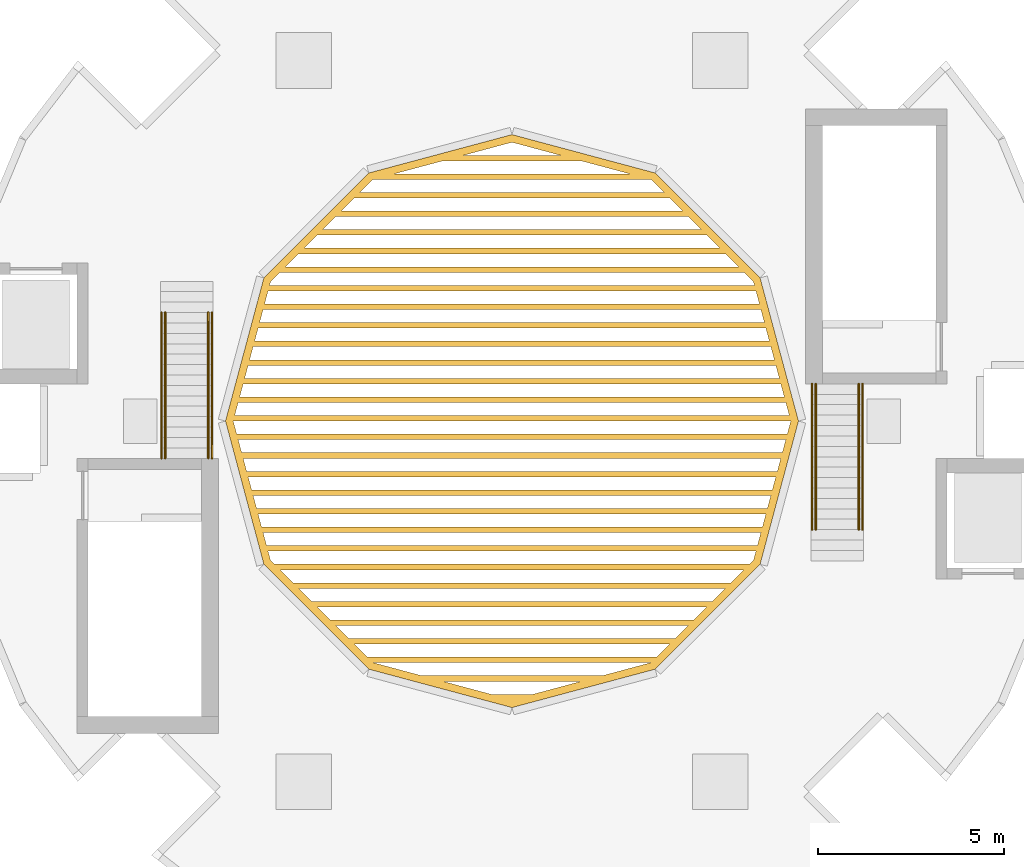
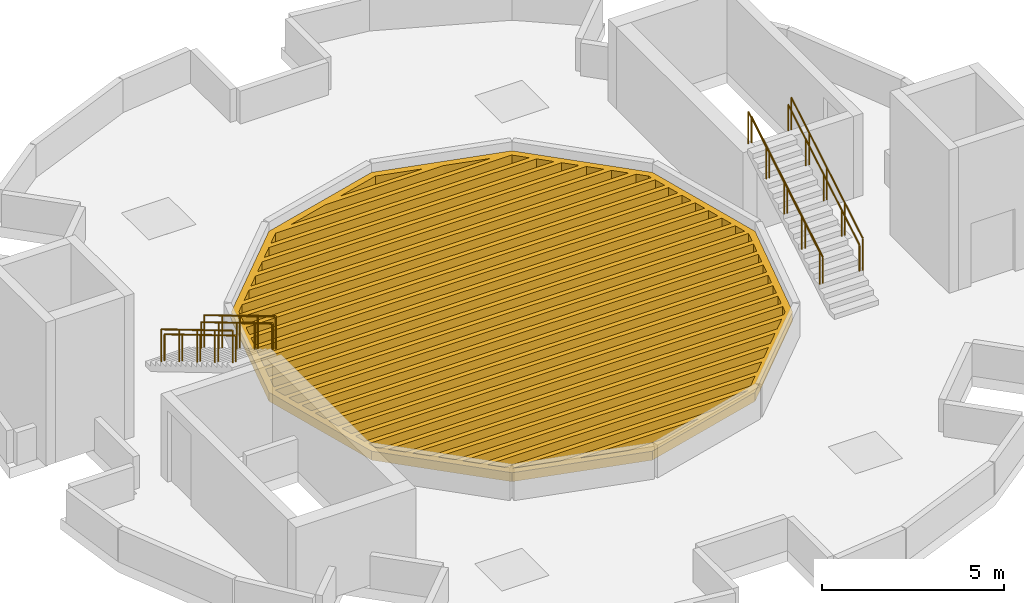
# One storey, part 3 of 4: 8 railings, 1 shading device.
"""IFC4 building model written with IfcOpenShell, lengths in metres."""

from ifc_helpers import new_model, si_unit, direction, frame, origin, origin_2d, place, context, subcontext, project, spatial, polyline, circle, outline, extrude, material, type_object, element, save


model = new_model("IFC4")

# Units and contexts
model_context = context("Model", 3, precision=1e-05, world=origin(), true_north=direction((0.0, 1.0)))
body_context = subcontext(model_context, "Body", "Model", "MODEL_VIEW")
ifc_project = project(units=[si_unit("LENGTHUNIT", "METRE"), si_unit("AREAUNIT", "SQUARE_METRE"), si_unit("VOLUMEUNIT", "CUBIC_METRE"), si_unit("PLANEANGLEUNIT", "RADIAN"), si_unit("MASSUNIT", "GRAM", prefix="KILO")], contexts=[model_context])

# Site, building, storey
site_placement = place(None, origin())
site = spatial("IfcSite", under=ifc_project, at=site_placement, CompositionType="ELEMENT")
building_placement = place(site_placement, origin())
building = spatial("IfcBuilding", under=site, at=building_placement, Name="Torre Brocal", CompositionType="ELEMENT")
storey_placement = place(building_placement, frame((0.0, 0.0, 337.60009765625)))
storey = spatial("IfcBuildingStorey", under=building, at=storey_placement, Name="RF", CompositionType="ELEMENT", Elevation=337.60009765625)

# Railings
ifc_material_1 = material(Name="Steel A992", Category="steel")
railing_type_1 = type_object("IfcRailingType", Name="ROOF STAIR GUARD", PredefinedType="GUARDRAIL", material=ifc_material_1)
for number, where, name in (
    (1, (88.070068359375, 72.080078125, 0.66650390625), "GUARD ST5"),
    (2, (89.429931640625, 72.080078125, 0.66650390625), "GUARD ST5"),
):
    element("IfcRailing", number, at=place(storey_placement, frame(where)), inside=storey, type_object=railing_type_1, Name=name, PredefinedType="GUARDRAIL", context=body_context, shape_type="SweptSolid", body=[
        extrude(circle(Radius=0.02392578125, at=origin_2d()), frame((0.0, 0.0, 1.076171875), z_axis=(0.0, 0.859272722373, 0.511517730471), x_axis=(-1.0, 0.0, 0.0)), (0.0, 0.0, 1.0), 4.56201171875),
        extrude(circle(Radius=0.02099609375, at=origin_2d()), origin(), (0.0, 0.0, 1.0), 1.052001953125),
        extrude(circle(Radius=0.02099609375, at=origin_2d()), frame((0.0, 0.97998046875, 0.58349609375)), (0.0, 0.0, 1.0), 1.052001953125),
        extrude(circle(Radius=0.02099609375, at=origin_2d()), frame((0.0, 1.9599609375, 1.166748046875)), (0.0, 0.0, 1.0), 1.052001953125),
        extrude(circle(Radius=0.02099609375, at=origin_2d()), frame((0.0, 2.93994140625, 1.75)), (0.0, 0.0, 1.0), 1.052001953125),
        extrude(circle(Radius=0.02099609375, at=origin_2d()), frame((0.0, 3.919921875, 2.33349609375)), (0.0, 0.0, 1.0), 1.052001953125),
    ])
for number, where, name in (
    (3, (71.929931640625, 77.919921875, 0.66650390625), "GUARD ST6"),
    (4, (70.570068359375, 77.919921875, 0.66650390625), "GUARD ST6"),
):
    element("IfcRailing", number, at=place(storey_placement, frame(where)), inside=storey, type_object=railing_type_1, Name=name, PredefinedType="GUARDRAIL", context=body_context, shape_type="SweptSolid", body=[
        extrude(circle(Radius=0.02392578125, at=origin_2d()), frame((0.0, 0.0, 1.076171875), z_axis=(0.0, -0.859272722373, 0.511517730471), x_axis=(1.0, 0.0, 0.0)), (0.0, 0.0, 1.0), 4.56201171875),
        extrude(circle(Radius=0.02099609375, at=origin_2d()), origin(), (0.0, 0.0, 1.0), 1.052001953125),
        extrude(circle(Radius=0.02099609375, at=origin_2d()), frame((0.0, -0.97998046875, 0.58349609375)), (0.0, 0.0, 1.0), 1.052001953125),
        extrude(circle(Radius=0.02099609375, at=origin_2d()), frame((0.0, -1.9599609375, 1.166748046875)), (0.0, 0.0, 1.0), 1.052001953125),
        extrude(circle(Radius=0.02099609375, at=origin_2d()), frame((0.0, -2.93994140625, 1.75)), (0.0, 0.0, 1.0), 1.052001953125),
        extrude(circle(Radius=0.02099609375, at=origin_2d()), frame((0.0, -3.919921875, 2.33349609375)), (0.0, 0.0, 1.0), 1.052001953125),
    ])
ifc_material_2 = material(Name="Steel A992", Category="steel")
railing_type_2 = type_object("IfcRailingType", Name="ROOF STAIR HANDRAIL", PredefinedType="HANDRAIL", material=ifc_material_2)
for number, where, name in (
    (5, (88.169921875, 72.080078125, 0.66650390625), "HAND ST5"),
    (6, (89.330078125, 72.080078125, 0.66650390625), "HAND ST5"),
):
    element("IfcRailing", number, at=place(storey_placement, frame(where)), inside=storey, type_object=railing_type_2, Name=name, PredefinedType="HANDRAIL", context=body_context, shape_type="SweptSolid", body=[
        extrude(circle(Radius=0.02392578125, at=origin_2d()), frame((0.0, 0.0, 0.8759765625), z_axis=(0.0, 0.859272722373, 0.511517730471), x_axis=(-1.0, 0.0, 0.0)), (0.0, 0.0, 1.0), 4.56201171875),
        extrude(circle(Radius=0.02099609375, at=origin_2d()), origin(), (0.0, 0.0, 1.0), 0.851806640625),
        extrude(circle(Radius=0.02099609375, at=origin_2d()), frame((0.0, 0.97998046875, 0.58349609375)), (0.0, 0.0, 1.0), 0.851806640625),
        extrude(circle(Radius=0.02099609375, at=origin_2d()), frame((0.0, 1.9599609375, 1.166748046875)), (0.0, 0.0, 1.0), 0.851806640625),
        extrude(circle(Radius=0.02099609375, at=origin_2d()), frame((0.0, 2.93994140625, 1.75)), (0.0, 0.0, 1.0), 0.851806640625),
        extrude(circle(Radius=0.02099609375, at=origin_2d()), frame((0.0, 3.919921875, 2.33349609375)), (0.0, 0.0, 1.0), 0.851806640625),
    ])
for number, where, name in (
    (7, (71.830078125, 77.919921875, 0.66650390625), "HAND ST6"),
    (8, (70.669921875, 77.919921875, 0.66650390625), "HAND ST6"),
):
    element("IfcRailing", number, at=place(storey_placement, frame(where)), inside=storey, type_object=railing_type_2, Name=name, PredefinedType="HANDRAIL", context=body_context, shape_type="SweptSolid", body=[
        extrude(circle(Radius=0.02392578125, at=origin_2d()), frame((0.0, 0.0, 0.8759765625), z_axis=(0.0, -0.859272722373, 0.511517730471), x_axis=(1.0, 0.0, 0.0)), (0.0, 0.0, 1.0), 4.56201171875),
        extrude(circle(Radius=0.02099609375, at=origin_2d()), origin(), (0.0, 0.0, 1.0), 0.851806640625),
        extrude(circle(Radius=0.02099609375, at=origin_2d()), frame((0.0, -0.97998046875, 0.58349609375)), (0.0, 0.0, 1.0), 0.851806640625),
        extrude(circle(Radius=0.02099609375, at=origin_2d()), frame((0.0, -1.9599609375, 1.166748046875)), (0.0, 0.0, 1.0), 0.851806640625),
        extrude(circle(Radius=0.02099609375, at=origin_2d()), frame((0.0, -2.93994140625, 1.75)), (0.0, 0.0, 1.0), 0.851806640625),
        extrude(circle(Radius=0.02099609375, at=origin_2d()), frame((0.0, -3.919921875, 2.33349609375)), (0.0, 0.0, 1.0), 0.851806640625),
    ])

# Shading device
ifc_material_3 = material(Name="Aluminium, black anodised", Category="aluminium")
shading_device_type = type_object("IfcShadingDeviceType", Name="WELL LOUVRE SCREEN", PredefinedType="USERDEFINED", material=ifc_material_3)
shading_device_placement = place(storey_placement, frame((0.0, 0.0, 0.5)))
element("IfcShadingDevice", 9, at=shading_device_placement, inside=storey, type_object=shading_device_type, Name="WELL LOUVRE SCREEN", ObjectType="LOUVRE", PredefinedType="USERDEFINED", context=body_context, shape_type="SweptSolid", body=[
    extrude(outline(polyline([(86.674560546875, 78.853515625), (83.853515625, 81.674560546875), (80.0, 82.70703125), (76.146484375, 81.674560546875), (73.325439453125, 78.853515625), (72.29296875, 75.0), (73.325439453125, 71.146484375), (76.146484375, 68.325439453125), (80.0, 67.29296875), (83.853515625, 68.325439453125), (86.674560546875, 71.146484375), (87.70703125, 75.0), (86.674560546875, 78.853515625)]), holes=[polyline([(81.865966796875, 68.0), (80.559814453125, 67.64990234375), (79.440185546875, 67.64990234375), (78.134033203125, 68.0), (81.865966796875, 68.0)]), polyline([(83.73193359375, 68.5), (82.42578125, 68.14990234375), (77.57421875, 68.14990234375), (76.26806640625, 68.5), (83.73193359375, 68.5)]), polyline([(84.2451171875, 69.0), (83.895263671875, 68.64990234375), (76.104736328125, 68.64990234375), (75.7548828125, 69.0), (84.2451171875, 69.0)]), polyline([(84.7451171875, 69.5), (84.395263671875, 69.14990234375), (75.604736328125, 69.14990234375), (75.2548828125, 69.5), (84.7451171875, 69.5)]), polyline([(85.2451171875, 70.0), (84.895263671875, 69.64990234375), (75.104736328125, 69.64990234375), (74.7548828125, 70.0), (85.2451171875, 70.0)]), polyline([(85.7451171875, 70.5), (85.395263671875, 70.14990234375), (74.604736328125, 70.14990234375), (74.2548828125, 70.5), (85.7451171875, 70.5)]), polyline([(86.2451171875, 71.0), (85.895263671875, 70.64990234375), (74.104736328125, 70.64990234375), (73.7548828125, 71.0), (86.2451171875, 71.0)]), polyline([(86.562255859375, 71.5), (86.4951171875, 71.25), (86.395263671875, 71.14990234375), (73.604736328125, 71.14990234375), (73.5048828125, 71.25), (73.437744140625, 71.5), (86.562255859375, 71.5)]), polyline([(86.696044921875, 72.0), (86.602294921875, 71.64990234375), (73.397705078125, 71.64990234375), (73.303955078125, 72.0), (86.696044921875, 72.0)]), polyline([(86.830078125, 72.5), (86.736328125, 72.14990234375), (73.263671875, 72.14990234375), (73.169921875, 72.5), (86.830078125, 72.5)]), polyline([(86.964111328125, 73.0), (86.870361328125, 72.64990234375), (73.129638671875, 72.64990234375), (73.035888671875, 73.0), (86.964111328125, 73.0)]), polyline([(87.09814453125, 73.5), (87.00439453125, 73.14990234375), (72.99560546875, 73.14990234375), (72.90185546875, 73.5), (87.09814453125, 73.5)]), polyline([(87.23193359375, 74.0), (87.13818359375, 73.64990234375), (72.86181640625, 73.64990234375), (72.76806640625, 74.0), (87.23193359375, 74.0)]), polyline([(87.365966796875, 74.5), (87.272216796875, 74.14990234375), (72.727783203125, 74.14990234375), (72.634033203125, 74.5), (87.365966796875, 74.5)]), polyline([(87.5, 75.0), (87.40625, 74.64990234375), (72.59375, 74.64990234375), (72.5, 75.0), (87.5, 75.0)]), polyline([(87.365966796875, 75.5), (87.459716796875, 75.14990234375), (72.540283203125, 75.14990234375), (72.634033203125, 75.5), (87.365966796875, 75.5)]), polyline([(87.23193359375, 76.0), (87.325927734375, 75.64990234375), (72.674072265625, 75.64990234375), (72.76806640625, 76.0), (87.23193359375, 76.0)]), polyline([(87.09814453125, 76.5), (87.19189453125, 76.14990234375), (72.80810546875, 76.14990234375), (72.90185546875, 76.5), (87.09814453125, 76.5)]), polyline([(86.964111328125, 77.0), (87.057861328125, 76.64990234375), (72.942138671875, 76.64990234375), (73.035888671875, 77.0), (86.964111328125, 77.0)]), polyline([(86.830078125, 77.5), (86.923828125, 77.14990234375), (73.076171875, 77.14990234375), (73.169921875, 77.5), (86.830078125, 77.5)]), polyline([(86.696044921875, 78.0), (86.7900390625, 77.64990234375), (73.2099609375, 77.64990234375), (73.303955078125, 78.0), (86.696044921875, 78.0)]), polyline([(86.562255859375, 78.5), (86.656005859375, 78.14990234375), (73.343994140625, 78.14990234375), (73.437744140625, 78.5), (86.562255859375, 78.5)]), polyline([(86.2451171875, 79.0), (86.4951171875, 78.75), (86.52197265625, 78.64990234375), (73.47802734375, 78.64990234375), (73.5048828125, 78.75), (73.7548828125, 79.0), (86.2451171875, 79.0)]), polyline([(85.7451171875, 79.5), (86.09521484375, 79.14990234375), (73.90478515625, 79.14990234375), (74.2548828125, 79.5), (85.7451171875, 79.5)]), polyline([(85.2451171875, 80.0), (85.59521484375, 79.64990234375), (74.40478515625, 79.64990234375), (74.7548828125, 80.0), (85.2451171875, 80.0)]), polyline([(84.7451171875, 80.5), (85.09521484375, 80.14990234375), (74.90478515625, 80.14990234375), (75.2548828125, 80.5), (84.7451171875, 80.5)]), polyline([(84.2451171875, 81.0), (84.59521484375, 80.64990234375), (75.40478515625, 80.64990234375), (75.7548828125, 81.0), (84.2451171875, 81.0)]), polyline([(83.73193359375, 81.5), (83.75, 81.4951171875), (84.09521484375, 81.14990234375), (75.90478515625, 81.14990234375), (76.25, 81.4951171875), (76.26806640625, 81.5), (83.73193359375, 81.5)]), polyline([(81.865966796875, 82.0), (83.17236328125, 81.64990234375), (76.82763671875, 81.64990234375), (78.134033203125, 82.0), (81.865966796875, 82.0)]), polyline([(78.69384765625, 82.14990234375), (80.0, 82.5), (81.30615234375, 82.14990234375), (78.69384765625, 82.14990234375)])]), origin(), (0.0, 0.0, 1.0), 0.2998046875),
])

save(model, "model.ifc")
